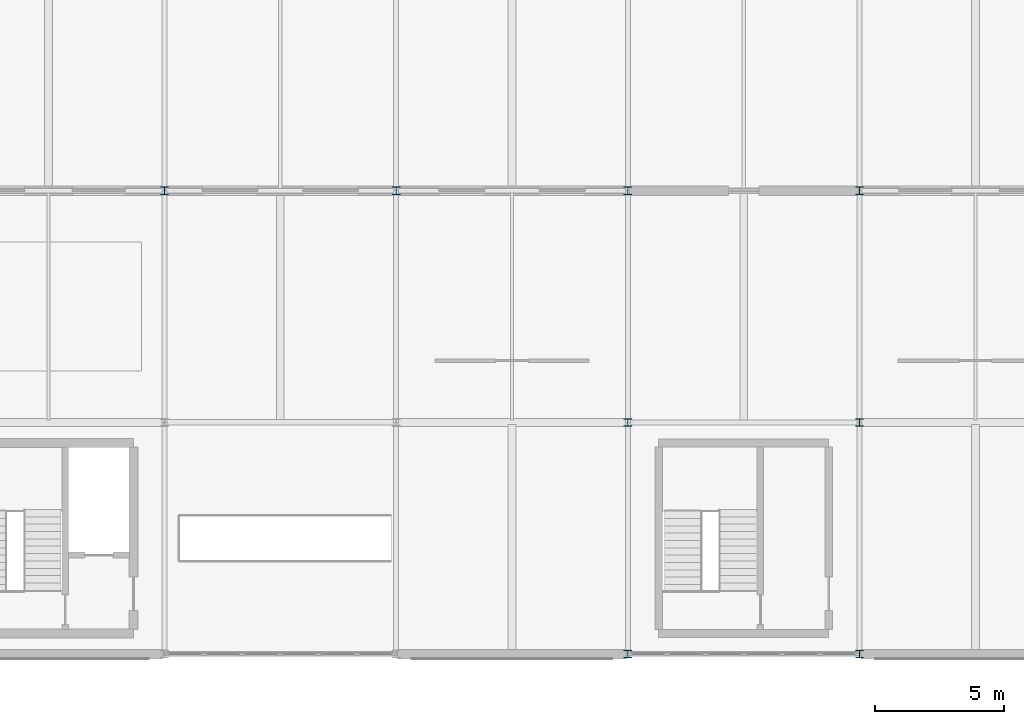
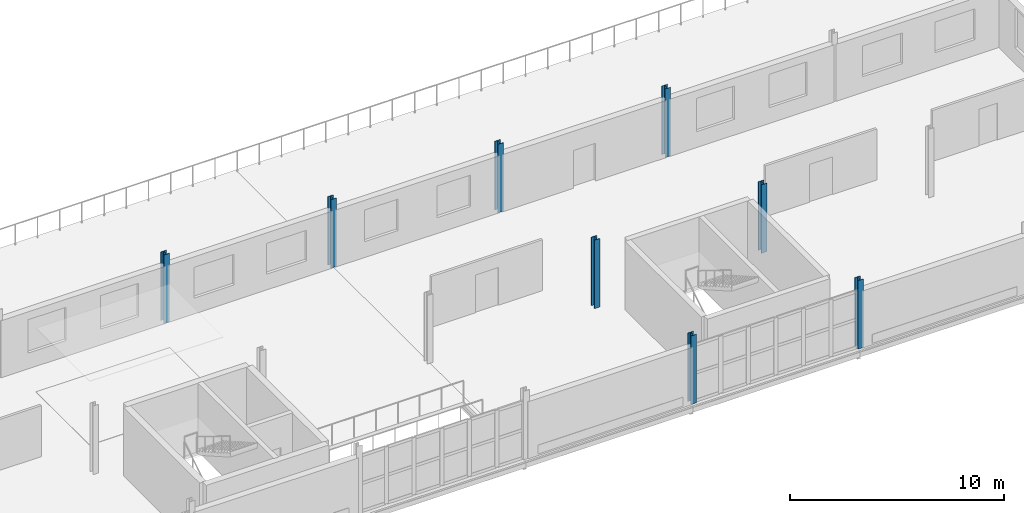
# One storey, part 2 of 123: 8 columns.
"""IFC4 building model written with IfcOpenShell, lengths in metres."""

from ifc_helpers import new_model, si_unit, direction, frame, origin, origin_2d, place, context, subcontext, project, spatial, i_section, extrude, material, material_profile, profile_set, type_object, element, save


model = new_model("IFC4")

# Units and contexts
model_context = context("Model", 3, precision=1e-05, world=origin(), true_north=direction((0.0, 1.0)))
body_context = subcontext(model_context, "Body", "Model", "MODEL_VIEW")
ifc_project = project(units=[si_unit("LENGTHUNIT", "METRE"), si_unit("AREAUNIT", "SQUARE_METRE"), si_unit("VOLUMEUNIT", "CUBIC_METRE"), si_unit("PLANEANGLEUNIT", "RADIAN"), si_unit("MASSUNIT", "GRAM", prefix="KILO")], contexts=[model_context])

# Site, building, storey
site_placement = place(None, origin())
site = spatial("IfcSite", under=ifc_project, at=site_placement, CompositionType="ELEMENT")
building_placement = place(site_placement, origin())
building = spatial("IfcBuilding", under=site, at=building_placement, Name="Kildeholm Park Wholesale Market", CompositionType="ELEMENT")
storey_placement = place(building_placement, frame((0.0, 0.0, 9.60009765625)))
storey = spatial("IfcBuildingStorey", under=building, at=storey_placement, Name="L02", CompositionType="ELEMENT", Elevation=9.60009765625)

# Columns
ifc_material = material(Name="Steel S355", Category="steel")
ifc_material_profile = material_profile(ifc_material, i_section(OverallWidth=0.300048828125, OverallDepth=0.300048828125, WebThickness=0.010986328125, FlangeThickness=0.01904296875, FilletRadius=0.027099609375, at=origin_2d()), Name="HEB 300")
ifc_profile_set = profile_set([ifc_material_profile], Name="Steel S355")
column_type = type_object("IfcColumnType", Name="Column C-S03 HEB 300", PredefinedType="COLUMN", material=ifc_profile_set)
for number, where, z_axis, x_axis, name in (
    (1, (36.0, 18.0, 0.0), (0.0, 0.0, 1.0), (1.0, 0.0, 0.0), "Column V5W-036-018 L02 COL-0689"),
    (2, (45.0, 18.0, 0.0), (0.0, 0.0, 1.0), (1.0, 0.0, 0.0), "Column V5W-045-018 L02 COL-0703"),
    (3, (54.0, 0.0, 0.0), (0.0, 0.0, 1.0), (1.0, 0.0, 0.0), "Column V5W-054-000 L02 COL-0709"),
    (4, (54.0, 9.0, 0.0), (0.0, 0.0, 1.0), (1.0, 0.0, 0.0), "Column V5W-054-009 L02 COL-0713"),
    (5, (54.0, 18.0, 0.0), (0.0, 0.0, 1.0), (1.0, 0.0, 0.0), "Column V5W-054-018 L02 COL-0717"),
    (6, (63.0, 0.0, 0.0), (0.0, 0.0, 1.0), (1.0, 0.0, 0.0), "Column V5W-063-000 L02 COL-0723"),
    (7, (63.0, 9.0, 0.0), (0.0, 0.0, 1.0), (1.0, 0.0, 0.0), "Column V5W-063-009 L02 COL-0727"),
    (8, (63.0, 18.0, 0.0), (0.0, 0.0, 1.0), (1.0, 0.0, 0.0), "Column V5W-063-018 L02 COL-0731"),
):
    element("IfcColumn", number, at=place(storey_placement, frame(where, z_axis=z_axis, x_axis=x_axis)), inside=storey, type_object=column_type, Name=name, PredefinedType="COLUMN", context=body_context, shape_type="SweptSolid", body=[
        extrude(i_section(OverallWidth=0.300048828125, OverallDepth=0.300048828125, WebThickness=0.010986328125, FlangeThickness=0.01904296875, FilletRadius=0.027099609375, at=origin_2d()), origin(), (0.0, 0.0, 1.0), 3.89990234375),
    ])

save(model, "model.ifc")
